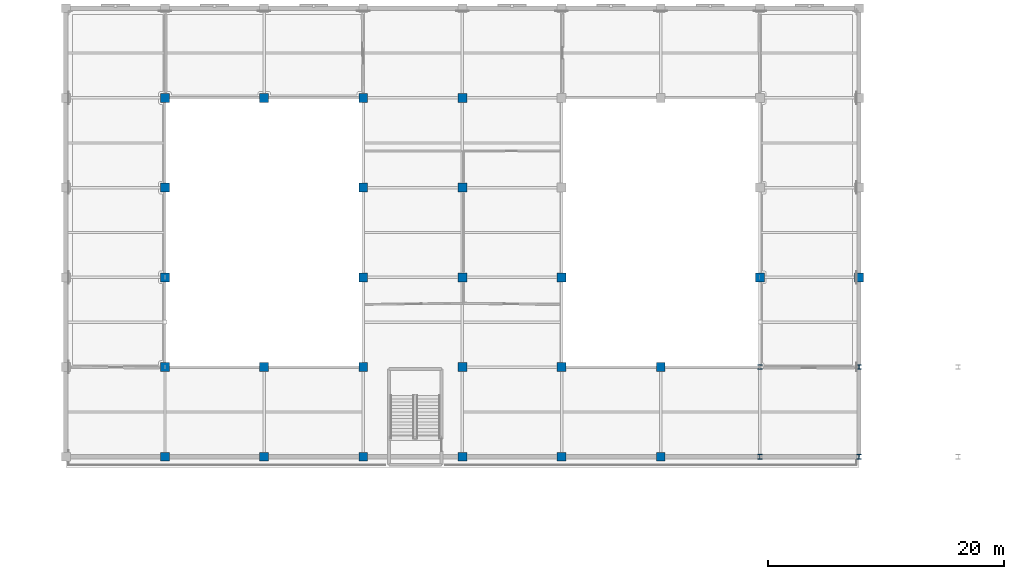
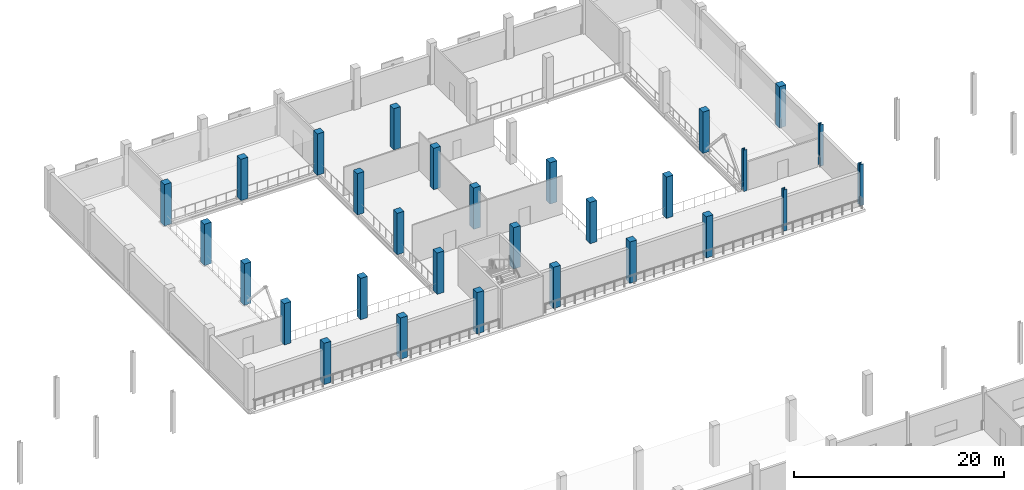
# One storey, part 8 of 51: 29 columns.
"""IFC4 building model written with IfcOpenShell, lengths in metres."""

from ifc_helpers import new_model, si_unit, direction, frame, origin, origin_2d, place, context, subcontext, project, spatial, rectangle, i_section, extrude, material, material_profile, profile_set, type_object, element, save


model = new_model("IFC4")

# Units and contexts
model_context = context("Model", 3, precision=1e-05, world=origin(), true_north=direction((0.0, 1.0)))
body_context = subcontext(model_context, "Body", "Model", "MODEL_VIEW")
ifc_project = project(units=[si_unit("LENGTHUNIT", "METRE"), si_unit("AREAUNIT", "SQUARE_METRE"), si_unit("VOLUMEUNIT", "CUBIC_METRE"), si_unit("PLANEANGLEUNIT", "RADIAN"), si_unit("MASSUNIT", "GRAM", prefix="KILO")], contexts=[model_context])

# Site, building, storey
site_placement = place(None, origin())
site = spatial("IfcSite", under=ifc_project, at=site_placement, CompositionType="ELEMENT")
building_placement = place(site_placement, origin())
building = spatial("IfcBuilding", under=site, at=building_placement, Name="Zuvorla Pavilion Media Centre", CompositionType="ELEMENT")
storey_placement = place(building_placement, frame((0.0, 0.0, 4.800048828125)))
storey = spatial("IfcBuildingStorey", under=building, at=storey_placement, Name="L01", CompositionType="ELEMENT", Elevation=4.800048828125)

# Columns
ifc_material_1 = material(Name="Concrete C40/50", Category="concrete")
ifc_material_profile_1 = material_profile(ifc_material_1, rectangle(XDim=0.75, YDim=0.75, at=origin_2d()), Name="RC 750x750")
ifc_profile_set_1 = profile_set([ifc_material_profile_1], Name="Concrete C40/50")
column_type_1 = type_object("IfcColumnType", Name="COL-RC750", PredefinedType="COLUMN", material=ifc_profile_set_1)
for number, where, z_axis, x_axis, name in (
    (1, (75.199951171875, 82.0, 0.0), (0.0, 0.0, 1.0), (1.0, 0.0, 0.0), "L01 column C02 779"),
    (2, (83.60009765625, 82.0, 0.0), (0.0, 0.0, 1.0), (1.0, 0.0, 0.0), "L01 column C02 784"),
    (3, (92.0, 82.0, 0.0), (0.0, 0.0, 1.0), (1.0, 0.0, 0.0), "L01 column C02 789"),
    (4, (100.39990234375, 82.0, 0.0), (0.0, 0.0, 1.0), (1.0, 0.0, 0.0), "L01 column C02 794"),
    (5, (108.800048828125, 82.0, 0.0), (0.0, 0.0, 1.0), (1.0, 0.0, 0.0), "L01 column C02 799"),
    (6, (117.199951171875, 82.0, 0.0), (0.0, 0.0, 1.0), (1.0, 0.0, 0.0), "L01 column C02 804"),
    (7, (75.199951171875, 89.60009765625, 0.0), (0.0, 0.0, 1.0), (1.0, 0.0, 0.0), "L01 column C02 871"),
    (8, (83.60009765625, 89.60009765625, 0.0), (0.0, 0.0, 1.0), (1.0, 0.0, 0.0), "L01 column C02 876"),
    (9, (92.0, 89.60009765625, 0.0), (0.0, 0.0, 1.0), (1.0, 0.0, 0.0), "L01 column C02 881"),
    (10, (100.39990234375, 89.60009765625, 0.0), (0.0, 0.0, 1.0), (1.0, 0.0, 0.0), "L01 column C02 886"),
    (11, (108.800048828125, 89.60009765625, 0.0), (0.0, 0.0, 1.0), (1.0, 0.0, 0.0), "L01 column C02 891"),
    (12, (117.199951171875, 89.60009765625, 0.0), (0.0, 0.0, 1.0), (1.0, 0.0, 0.0), "L01 column C02 896"),
    (13, (75.199951171875, 97.199951171875, 0.0), (0.0, 0.0, 1.0), (1.0, 0.0, 0.0), "L01 column C02 937"),
    (14, (92.0, 97.199951171875, 0.0), (0.0, 0.0, 1.0), (1.0, 0.0, 0.0), "L01 column C02 940"),
    (15, (100.39990234375, 97.199951171875, 0.0), (0.0, 0.0, 1.0), (1.0, 0.0, 0.0), "L01 column C02 943"),
    (16, (108.800048828125, 97.199951171875, 0.0), (0.0, 0.0, 1.0), (1.0, 0.0, 0.0), "L01 column C02 946"),
    (17, (125.60009765625, 97.199951171875, 0.0), (0.0, 0.0, 1.0), (1.0, 0.0, 0.0), "L01 column C02 949"),
    (18, (134.0, 97.199951171875, 0.0), (0.0, 0.0, 1.0), (1.0, 0.0, 0.0), "L01 column C02 952"),
    (19, (75.199951171875, 104.800048828125, 0.0), (0.0, 0.0, 1.0), (1.0, 0.0, 0.0), "L01 column C02 966"),
    (20, (92.0, 104.800048828125, 0.0), (0.0, 0.0, 1.0), (1.0, 0.0, 0.0), "L01 column C02 969"),
    (21, (100.39990234375, 104.800048828125, 0.0), (0.0, 0.0, 1.0), (1.0, 0.0, 0.0), "L01 column C02 972"),
    (22, (75.199951171875, 112.39990234375, 0.0), (0.0, 0.0, 1.0), (1.0, 0.0, 0.0), "L01 column C02 995"),
    (23, (83.60009765625, 112.39990234375, 0.0), (0.0, 0.0, 1.0), (1.0, 0.0, 0.0), "L01 column C02 998"),
    (24, (92.0, 112.39990234375, 0.0), (0.0, 0.0, 1.0), (1.0, 0.0, 0.0), "L01 column C02 1001"),
    (25, (100.39990234375, 112.39990234375, 0.0), (0.0, 0.0, 1.0), (1.0, 0.0, 0.0), "L01 column C02 1004"),
):
    element("IfcColumn", number, at=place(storey_placement, frame(where, z_axis=z_axis, x_axis=x_axis)), inside=storey, type_object=column_type_1, Name=name, PredefinedType="COLUMN", context=body_context, shape_type="SweptSolid", body=[
        extrude(rectangle(XDim=0.75, YDim=0.75, at=origin_2d()), origin(), (0.0, 0.0, 1.0), 4.800048828125),
    ])
ifc_material_2 = material(Name="Steel S355", Category="steel")
ifc_material_profile_2 = material_profile(ifc_material_2, i_section(OverallWidth=0.39892578125, OverallDepth=0.3935546875, WebThickness=0.022705078125, FlangeThickness=0.03662109375, FilletRadius=0.01513671875, at=origin_2d()), Name="UC 356x406x287")
ifc_profile_set_2 = profile_set([ifc_material_profile_2], Name="Steel S355")
column_type_2 = type_object("IfcColumnType", Name="COL-UC356H", PredefinedType="COLUMN", material=ifc_profile_set_2)
for number, where, z_axis, x_axis, name in (
    (26, (125.60009765625, 82.0, 0.0), (0.0, 0.0, 1.0), (1.0, 0.0, 0.0), "L01 column C08 809"),
    (27, (134.0, 82.0, 0.0), (0.0, 0.0, 1.0), (1.0, 0.0, 0.0), "L01 column C08 814"),
    (28, (125.60009765625, 89.60009765625, 0.0), (0.0, 0.0, 1.0), (1.0, 0.0, 0.0), "L01 column C08 901"),
    (29, (134.0, 89.60009765625, 0.0), (0.0, 0.0, 1.0), (1.0, 0.0, 0.0), "L01 column C08 906"),
):
    element("IfcColumn", number, at=place(storey_placement, frame(where, z_axis=z_axis, x_axis=x_axis)), inside=storey, type_object=column_type_2, Name=name, PredefinedType="COLUMN", context=body_context, shape_type="SweptSolid", body=[
        extrude(i_section(OverallWidth=0.39892578125, OverallDepth=0.3935546875, WebThickness=0.022705078125, FlangeThickness=0.03662109375, FilletRadius=0.01513671875, at=origin_2d()), origin(), (0.0, 0.0, 1.0), 4.800048828125),
    ])

save(model, "model.ifc")
